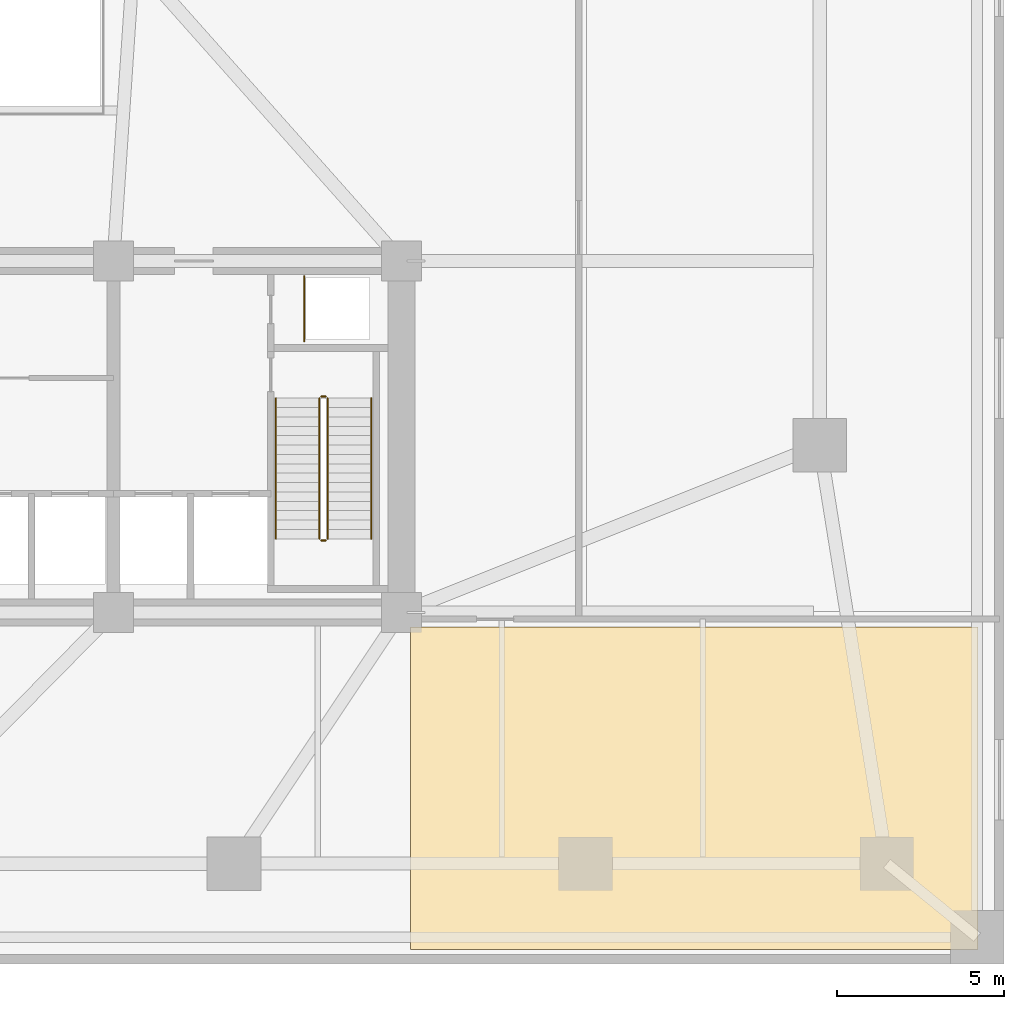
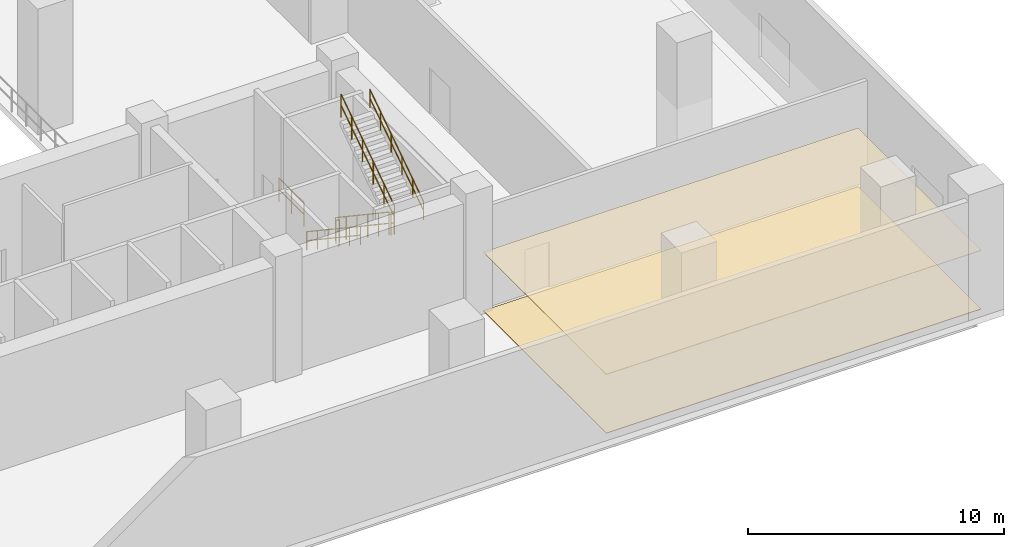
# One storey, part 11 of 16: 7 railings, 2 coverings.
"""IFC4 building model written with IfcOpenShell, lengths in metres."""

from ifc_helpers import new_model, si_unit, direction, frame, origin, origin_2d, place, context, subcontext, project, spatial, polyline, circle, outline, extrude, material, layer, layer_set, type_object, element, save


model = new_model("IFC4")

# Units and contexts
model_context = context("Model", 3, precision=1e-05, world=origin(), true_north=direction((0.0, 1.0)))
body_context = subcontext(model_context, "Body", "Model", "MODEL_VIEW")
ifc_project = project(units=[si_unit("LENGTHUNIT", "METRE"), si_unit("AREAUNIT", "SQUARE_METRE"), si_unit("VOLUMEUNIT", "CUBIC_METRE"), si_unit("PLANEANGLEUNIT", "RADIAN"), si_unit("MASSUNIT", "GRAM", prefix="KILO")], contexts=[model_context])

# Site, building, storey
site_placement = place(None, origin())
site = spatial("IfcSite", under=ifc_project, at=site_placement, CompositionType="ELEMENT")
building_placement = place(site_placement, origin())
building = spatial("IfcBuilding", under=site, at=building_placement, Name="Solmavex Isthmus Hotel", CompositionType="ELEMENT")
storey_placement = place(building_placement, frame((0.0, 0.0, 5.39990234375)))
storey = spatial("IfcBuildingStorey", under=building, at=storey_placement, Name="L02", CompositionType="ELEMENT", Elevation=5.39990234375)

# Coverings
ifc_material_1 = material(Name="Gypsum plasterboard lining", Category="gypsum")
ifc_layer_1 = layer(ifc_material_1, 0.030029296875)
ifc_layer_set_1 = layer_set([ifc_layer_1], Name="Gypsum plasterboard lining")
covering_type_1 = type_object("IfcCoveringType", Name="COV-CEIL-GYP", PredefinedType="CEILING", material=ifc_layer_set_1)
covering_1_placement = place(storey_placement, frame((0.0, 0.0, 2.800048828125)))
element("IfcCovering", 1, at=covering_1_placement, inside=storey, type_object=covering_type_1, Name="Suspended Acoustic Ceiling L02-AV1", PredefinedType="CEILING", context=body_context, shape_type="SweptSolid", body=[
    extrude(outline(polyline([(33.219970703125, -23.070068359375), (33.219970703125, -13.429931640625), (16.280029296875, -13.429931640625), (16.280029296875, -23.070068359375), (33.219970703125, -23.070068359375)])), origin(), (0.0, 0.0, 1.0), 0.030029296875),
])
ifc_material_2 = material(Name="Travertine natural stone", Category="masonry")
ifc_layer_2 = layer(ifc_material_2, 0.02490234375)
ifc_layer_set_2 = layer_set([ifc_layer_2], Name="Travertine natural stone")
covering_type_2 = type_object("IfcCoveringType", Name="COV-FLOR-STN", PredefinedType="FLOORING", material=ifc_layer_set_2)
covering_2_placement = place(storey_placement, origin())
element("IfcCovering", 2, at=covering_2_placement, inside=storey, type_object=covering_type_2, Name="Stone and Timber Floor Finish L02-AV1", PredefinedType="FLOORING", context=body_context, shape_type="SweptSolid", body=[
    extrude(outline(polyline([(33.219970703125, -23.070068359375), (33.219970703125, -13.429931640625), (16.280029296875, -13.429931640625), (16.280029296875, -23.070068359375), (33.219970703125, -23.070068359375)])), origin(), (0.0, 0.0, 1.0), 0.025146484375),
])

# Railings
ifc_material_3 = material(Name="Clear low-E laminated glass", Category="glass")
ifc_layer_3 = layer(ifc_material_3, 0.080078125)
ifc_layer_set_3 = layer_set([ifc_layer_3], Name="Clear low-E laminated glass")
railing_type_1 = type_object("IfcRailingType", Name="RAIL-ATRIUM-1120", PredefinedType="BALUSTRADE", material=ifc_layer_set_3)
railing_1_placement = place(storey_placement, frame((13.10009765625, -4.89990234375, 0.0)))
element("IfcRailing", 3, at=railing_1_placement, inside=storey, type_object=railing_type_1, Name="Guardrail Balustrade L02-RSE-01", PredefinedType="BALUSTRADE", context=body_context, shape_type="SweptSolid", body=[
    extrude(circle(Radius=0.02392578125, at=origin_2d()), frame((0.0, 0.0, 1.1259765625), z_axis=(0.0, 1.0, 0.0), x_axis=(-1.0, 0.0, 0.0)), (0.0, 0.0, 1.0), 1.949951171875),
    extrude(circle(Radius=0.02392578125, at=origin_2d()), frame((0.0, 0.0, 0.574951171875), z_axis=(0.0, 1.0, 0.0), x_axis=(-1.0, 0.0, 0.0)), (0.0, 0.0, 1.0), 1.949951171875),
    extrude(circle(Radius=0.02099609375, at=origin_2d()), origin(), (0.0, 0.0, 1.0), 1.101806640625),
    extrude(circle(Radius=0.02099609375, at=origin_2d()), frame((0.0, 0.97509765625, 0.0)), (0.0, 0.0, 1.0), 1.101806640625),
    extrude(circle(Radius=0.02099609375, at=origin_2d()), frame((0.0, 1.949951171875, 0.0)), (0.0, 0.0, 1.0), 1.101806640625),
])
ifc_material_4 = material(Name="Stainless steel 316", Category="steel")
ifc_layer_4 = layer(ifc_material_4, 0.06005859375)
ifc_layer_set_4 = layer_set([ifc_layer_4], Name="Stainless steel 316")
railing_type_2 = type_object("IfcRailingType", Name="RAIL-STAIR-GD", PredefinedType="GUARDRAIL", material=ifc_layer_set_4)
railing_2_placement = place(storey_placement, frame((13.550048828125, -6.60009765625, 0.1875)))
element("IfcRailing", 4, at=railing_2_placement, inside=storey, type_object=railing_type_2, Name="L02 ST-2 stair guard 1", PredefinedType="GUARDRAIL", context=body_context, shape_type="SweptSolid", body=[
    extrude(circle(Radius=0.02392578125, at=origin_2d()), frame((0.0, 0.0, 1.09619140625), z_axis=(0.0, -0.830904186295, 0.556415522067), x_axis=(1.0, 0.0, 0.0)), (0.0, 0.0, 1.0), 5.0546875),
    extrude(circle(Radius=0.02392578125, at=origin_2d()), frame((0.0, 0.0, 0.56005859375), z_axis=(0.0, -0.830904186295, 0.556415522067), x_axis=(1.0, 0.0, 0.0)), (0.0, 0.0, 1.0), 5.0546875),
    extrude(circle(Radius=0.02099609375, at=origin_2d()), origin(), (0.0, 0.0, 1.0), 1.072021484375),
    extrude(circle(Radius=0.02099609375, at=origin_2d()), frame((0.0, -0.840087890625, 0.5625)), (0.0, 0.0, 1.0), 1.072021484375),
    extrude(circle(Radius=0.02099609375, at=origin_2d()), frame((0.0, -1.679931640625, 1.125)), (0.0, 0.0, 1.0), 1.072021484375),
    extrude(circle(Radius=0.02099609375, at=origin_2d()), frame((0.0, -2.52001953125, 1.6875)), (0.0, 0.0, 1.0), 1.072021484375),
    extrude(circle(Radius=0.02099609375, at=origin_2d()), frame((0.0, -3.35986328125, 2.25)), (0.0, 0.0, 1.0), 1.072021484375),
    extrude(circle(Radius=0.02099609375, at=origin_2d()), frame((0.0, -4.199951171875, 2.8125)), (0.0, 0.0, 1.0), 1.072021484375),
])
railing_3_placement = place(storey_placement, frame((13.60009765625, -10.85009765625, 3.0)))
element("IfcRailing", 5, at=railing_3_placement, inside=storey, type_object=railing_type_2, Name="L02 ST-2 stair guard 2", PredefinedType="GUARDRAIL", context=body_context, shape_type="SweptSolid", body=[
    extrude(circle(Radius=0.02392578125, at=origin_2d()), frame((0.0, 0.0, 1.09619140625), z_axis=(1.0, 0.0, 0.0), x_axis=(0.0, 1.0, 0.0)), (0.0, 0.0, 1.0), 0.14990234375),
    extrude(circle(Radius=0.02392578125, at=origin_2d()), frame((0.0, 0.0, 0.56005859375), z_axis=(1.0, 0.0, 0.0), x_axis=(0.0, 1.0, 0.0)), (0.0, 0.0, 1.0), 0.14990234375),
    extrude(circle(Radius=0.02099609375, at=origin_2d()), origin(), (0.0, 0.0, 1.0), 1.072021484375),
    extrude(circle(Radius=0.02099609375, at=origin_2d()), frame((0.14990234375, 0.0, 0.0)), (0.0, 0.0, 1.0), 1.072021484375),
])
railing_4_placement = place(storey_placement, frame((13.800048828125, -10.800048828125, 3.1875)))
element("IfcRailing", 6, at=railing_4_placement, inside=storey, type_object=railing_type_2, Name="L02 ST-2 stair guard 3", PredefinedType="GUARDRAIL", context=body_context, shape_type="SweptSolid", body=[
    extrude(circle(Radius=0.02392578125, at=origin_2d()), frame((0.0, 0.0, 1.09619140625), z_axis=(0.0, 0.830904186295, 0.556415522067), x_axis=(-1.0, 0.0, 0.0)), (0.0, 0.0, 1.0), 5.0546875),
    extrude(circle(Radius=0.02392578125, at=origin_2d()), frame((0.0, 0.0, 0.56005859375), z_axis=(0.0, 0.830904186295, 0.556415522067), x_axis=(-1.0, 0.0, 0.0)), (0.0, 0.0, 1.0), 5.0546875),
    extrude(circle(Radius=0.02099609375, at=origin_2d()), origin(), (0.0, 0.0, 1.0), 1.072021484375),
    extrude(circle(Radius=0.02099609375, at=origin_2d()), frame((0.0, 0.840087890625, 0.5625)), (0.0, 0.0, 1.0), 1.072021484375),
    extrude(circle(Radius=0.02099609375, at=origin_2d()), frame((0.0, 1.679931640625, 1.125)), (0.0, 0.0, 1.0), 1.072021484375),
    extrude(circle(Radius=0.02099609375, at=origin_2d()), frame((0.0, 2.52001953125, 1.6875)), (0.0, 0.0, 1.0), 1.072021484375),
    extrude(circle(Radius=0.02099609375, at=origin_2d()), frame((0.0, 3.35986328125, 2.25)), (0.0, 0.0, 1.0), 1.072021484375),
    extrude(circle(Radius=0.02099609375, at=origin_2d()), frame((0.0, 4.199951171875, 2.8125)), (0.0, 0.0, 1.0), 1.072021484375),
])
railing_5_placement = place(storey_placement, frame((13.60009765625, -6.550048828125, 0.0)))
element("IfcRailing", 7, at=railing_5_placement, inside=storey, type_object=railing_type_2, Name="L02 ST-2 stair guard 4", PredefinedType="GUARDRAIL", context=body_context, shape_type="SweptSolid", body=[
    extrude(circle(Radius=0.02392578125, at=origin_2d()), frame((0.0, 0.0, 1.09619140625), z_axis=(1.0, 0.0, 0.0), x_axis=(0.0, 1.0, 0.0)), (0.0, 0.0, 1.0), 0.14990234375),
    extrude(circle(Radius=0.02392578125, at=origin_2d()), frame((0.0, 0.0, 0.56005859375), z_axis=(1.0, 0.0, 0.0), x_axis=(0.0, 1.0, 0.0)), (0.0, 0.0, 1.0), 0.14990234375),
    extrude(circle(Radius=0.02099609375, at=origin_2d()), origin(), (0.0, 0.0, 1.0), 1.072021484375),
    extrude(circle(Radius=0.02099609375, at=origin_2d()), frame((0.14990234375, 0.0, 0.0)), (0.0, 0.0, 1.0), 1.072021484375),
])
ifc_layer_5 = layer(ifc_material_4, 0.050048828125)
ifc_layer_set_5 = layer_set([ifc_layer_5], Name="Stainless steel 316")
railing_type_3 = type_object("IfcRailingType", Name="RAIL-STAIR-HR", PredefinedType="HANDRAIL", material=ifc_layer_set_5)
railing_6_placement = place(storey_placement, frame((12.25, -6.60009765625, 0.1875)))
element("IfcRailing", 8, at=railing_6_placement, inside=storey, type_object=railing_type_3, Name="L02 ST-2 stair handrail 1", PredefinedType="HANDRAIL", context=body_context, shape_type="SweptSolid", body=[
    extrude(circle(Radius=0.02392578125, at=origin_2d()), frame((0.0, 0.0, 0.8759765625), z_axis=(0.0, -0.830904186295, 0.556415522067), x_axis=(1.0, 0.0, 0.0)), (0.0, 0.0, 1.0), 5.0546875),
    extrude(circle(Radius=0.02392578125, at=origin_2d()), frame((0.0, 0.0, 0.449951171875), z_axis=(0.0, -0.830904186295, 0.556415522067), x_axis=(1.0, 0.0, 0.0)), (0.0, 0.0, 1.0), 5.0546875),
    extrude(circle(Radius=0.02099609375, at=origin_2d()), origin(), (0.0, 0.0, 1.0), 0.851806640625),
    extrude(circle(Radius=0.02099609375, at=origin_2d()), frame((0.0, -0.840087890625, 0.5625)), (0.0, 0.0, 1.0), 0.851806640625),
    extrude(circle(Radius=0.02099609375, at=origin_2d()), frame((0.0, -1.679931640625, 1.125)), (0.0, 0.0, 1.0), 0.851806640625),
    extrude(circle(Radius=0.02099609375, at=origin_2d()), frame((0.0, -2.52001953125, 1.6875)), (0.0, 0.0, 1.0), 0.851806640625),
    extrude(circle(Radius=0.02099609375, at=origin_2d()), frame((0.0, -3.35986328125, 2.25)), (0.0, 0.0, 1.0), 0.851806640625),
    extrude(circle(Radius=0.02099609375, at=origin_2d()), frame((0.0, -4.199951171875, 2.8125)), (0.0, 0.0, 1.0), 0.851806640625),
])
railing_7_placement = place(storey_placement, frame((15.10009765625, -10.800048828125, 3.1875)))
element("IfcRailing", 9, at=railing_7_placement, inside=storey, type_object=railing_type_3, Name="L02 ST-2 stair handrail 2", PredefinedType="HANDRAIL", context=body_context, shape_type="SweptSolid", body=[
    extrude(circle(Radius=0.02392578125, at=origin_2d()), frame((0.0, 0.0, 0.8759765625), z_axis=(0.0, 0.830904186295, 0.556415522067), x_axis=(-1.0, 0.0, 0.0)), (0.0, 0.0, 1.0), 5.0546875),
    extrude(circle(Radius=0.02392578125, at=origin_2d()), frame((0.0, 0.0, 0.449951171875), z_axis=(0.0, 0.830904186295, 0.556415522067), x_axis=(-1.0, 0.0, 0.0)), (0.0, 0.0, 1.0), 5.0546875),
    extrude(circle(Radius=0.02099609375, at=origin_2d()), origin(), (0.0, 0.0, 1.0), 0.851806640625),
    extrude(circle(Radius=0.02099609375, at=origin_2d()), frame((0.0, 0.840087890625, 0.5625)), (0.0, 0.0, 1.0), 0.851806640625),
    extrude(circle(Radius=0.02099609375, at=origin_2d()), frame((0.0, 1.679931640625, 1.125)), (0.0, 0.0, 1.0), 0.851806640625),
    extrude(circle(Radius=0.02099609375, at=origin_2d()), frame((0.0, 2.52001953125, 1.6875)), (0.0, 0.0, 1.0), 0.851806640625),
    extrude(circle(Radius=0.02099609375, at=origin_2d()), frame((0.0, 3.35986328125, 2.25)), (0.0, 0.0, 1.0), 0.851806640625),
    extrude(circle(Radius=0.02099609375, at=origin_2d()), frame((0.0, 4.199951171875, 2.8125)), (0.0, 0.0, 1.0), 0.851806640625),
])

save(model, "model.ifc")
